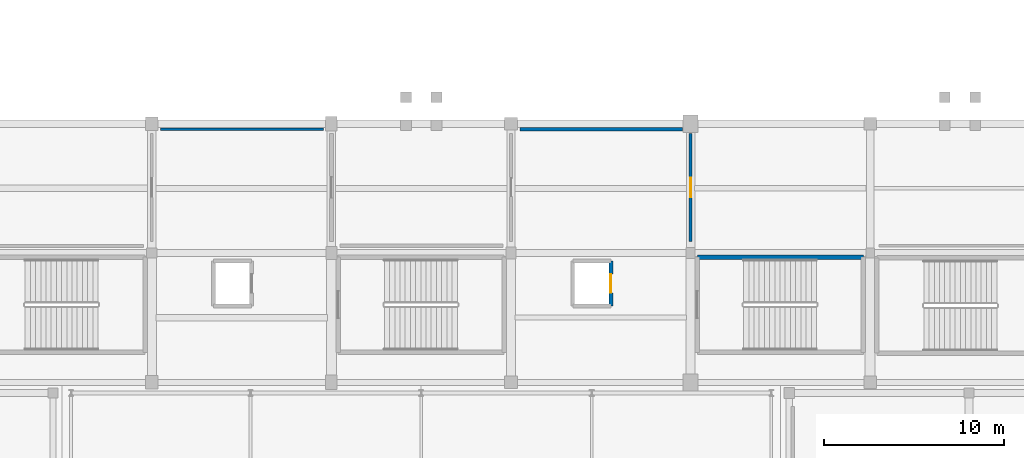
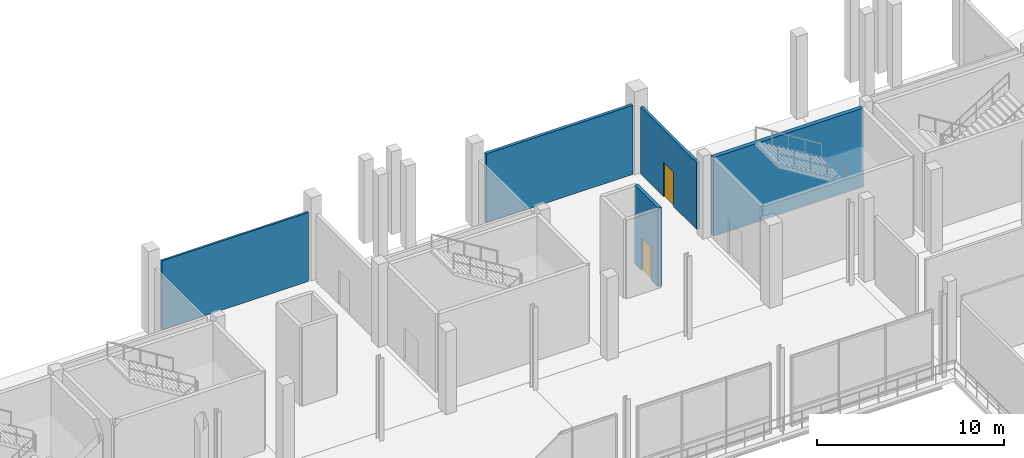
# One storey, part 72 of 111: 5 walls, 2 doors, 2 openings.
"""IFC4 building model written with IfcOpenShell, lengths in metres."""

from ifc_helpers import new_model, si_unit, direction, frame, frame_2d, origin, place, context, subcontext, project, spatial, rectangle, extrude, material, layer, layer_set, type_object, element, fill, save


model = new_model("IFC4")

# Units and contexts
model_context = context("Model", 3, precision=1e-05, world=origin(), true_north=direction((0.0, 1.0)))
body_context = subcontext(model_context, "Body", "Model", "MODEL_VIEW")
ifc_project = project(units=[si_unit("LENGTHUNIT", "METRE"), si_unit("AREAUNIT", "SQUARE_METRE"), si_unit("VOLUMEUNIT", "CUBIC_METRE"), si_unit("PLANEANGLEUNIT", "RADIAN"), si_unit("MASSUNIT", "GRAM", prefix="KILO")], contexts=[model_context])

# Site, building, storey
site_placement = place(None, origin())
site = spatial("IfcSite", under=ifc_project, at=site_placement, CompositionType="ELEMENT")
building_placement = place(site_placement, origin())
building = spatial("IfcBuilding", under=site, at=building_placement, Name="Candeia Ridge Stadium", CompositionType="ELEMENT")
storey_placement = place(building_placement, frame((0.0, 0.0, 16.199951171875)))
storey = spatial("IfcBuildingStorey", under=building, at=storey_placement, Name="L03", CompositionType="ELEMENT", Elevation=16.199951171875)

# Wall
ifc_material_1 = material(Name="Concrete C40/50", Category="concrete")
ifc_layer_1 = layer(ifc_material_1, 0.25, Name="Concrete C40/50", Category="concrete")
ifc_layer_set_1 = layer_set([ifc_layer_1], Name="Concrete C40/50")
wall_type_1 = type_object("IfcWallType", Name="Core Shear Wall Concrete 250", PredefinedType="SHEAR", material=ifc_layer_set_1)
wall_1_placement = place(storey_placement, frame((130.62451171875, 25.974609375, 0.0), z_axis=(0.0, 0.0, 1.0), x_axis=(-1.0, 0.0, 0.0)))
element("IfcWall", 1, at=wall_1_placement, inside=storey, type_object=wall_type_1, Name="Core C12 right shear wall L03", PredefinedType="SHEAR", context=body_context, shape_type="SweptSolid", body=[
    extrude(rectangle(XDim=9.2490234375, YDim=0.25, at=frame_2d((4.62451171875, 0.0))), origin(), (0.0, 0.0, 1.0), 5.14013671875),
])

# Wall, opening, door
ifc_material_2 = material(Name="Gypsum Acoustic Twin-Stud Assembly", Category="gypsum")
ifc_layer_2 = layer(ifc_material_2, 0.1650390625, Name="Gypsum Acoustic Twin-Stud Assembly", Category="gypsum")
ifc_layer_set_2 = layer_set([ifc_layer_2], Name="Gypsum Acoustic Twin-Stud Assembly")
wall_type_2 = type_object("IfcWallType", Name="Hospitality Suite Acoustic Wall 165", PredefinedType="PARTITIONING", material=ifc_layer_set_2)
wall_2_placement = place(storey_placement, frame((121.0, 32.85009765625, 0.0), z_axis=(0.0, 0.0, 1.0), x_axis=(0.0, -1.0, 0.0)))
wall_2 = element("IfcWall", 2, at=wall_2_placement, inside=storey, type_object=wall_type_2, Name="Interior partition PT-L03-0599", PredefinedType="PARTITIONING", context=body_context, shape_type="SweptSolid", body=[
    extrude(rectangle(XDim=6.0, YDim=0.1650390625, at=frame_2d((3.0, 0.0))), origin(), (0.0, 0.0, 1.0), 4.364990234375),
])
opening_1_placement = place(wall_2_placement, frame((2.4599609375, 0.0, 0.0)))
opening_1 = element("IfcOpeningElement", 3, at=opening_1_placement, cuts=wall_2, Name="Opening ID08", PredefinedType="OPENING", context=body_context, shape_type="SweptSolid", body=[
    extrude(rectangle(XDim=1.080078125, YDim=2.25, at=frame_2d((0.5400390625, 1.125))), frame((0.0, 0.092529296875, 0.0), z_axis=(0.0, -1.0, 0.0), x_axis=(1.0, 0.0, 0.0)), (0.0, 0.0, 1.0), 0.18505859375),
])
ifc_material_3 = material(Name="Western Red Cedar Acoustic Veneer", Category="wood")
door_type_1 = type_object("IfcDoorType", Name="Executive Skybox Entry Door 1080x2250", OperationType="NOTDEFINED", PredefinedType="DOOR", material=ifc_material_3)
door_1_placement = place(opening_1_placement, frame((1.080078125, 0.0, 0.0), z_axis=(0.0, 0.0, 1.0), x_axis=(-1.0, 0.0, 0.0)))
door_1 = element("IfcDoor", 4, at=door_1_placement, inside=storey, type_object=door_type_1, Name="Interior room door D-L03-0308", OperationType="SINGLE_SWING_LEFT", OverallHeight=2.25, OverallWidth=1.080078125, PredefinedType="DOOR", context=body_context, shape_type="SweptSolid", body=[
    extrude(rectangle(XDim=1.080078125, YDim=2.25, at=frame_2d((0.5400390625, 1.125))), frame((0.0, 0.02490234375, 0.0), z_axis=(0.0, -1.0, 0.0), x_axis=(1.0, 0.0, 0.0)), (0.0, 0.0, 1.0), 0.050048828125),
])
fill(opening_1, door_1)

ifc_layer_3 = layer(ifc_material_1, 0.219970703125, Name="Concrete C40/50", Category="concrete")
ifc_layer_set_3 = layer_set([ifc_layer_3], Name="Concrete C40/50")
wall_type_3 = type_object("IfcWallType", Name="Lift & Riser Shaft Wall 220", PredefinedType="SHEAR", material=ifc_layer_set_3)
wall_3_placement = place(storey_placement, frame((116.56005859375, 23.239990234375, 0.0), z_axis=(0.0, 0.0, 1.0), x_axis=(0.0, 1.0, 0.0)))
wall_3 = element("IfcWall", 5, at=wall_3_placement, inside=storey, type_object=wall_type_3, Name="Lift PL4 shaft wall L03 east", PredefinedType="SHEAR", context=body_context, shape_type="SweptSolid", body=[
    extrude(rectangle(XDim=2.52001953125, YDim=0.219970703125, at=frame_2d((1.260009765625, 0.0))), origin(), (0.0, 0.0, 1.0), 5.14013671875),
])
opening_2_placement = place(wall_3_placement, frame((0.735107421875, 0.0, 0.0)))
opening_2 = element("IfcOpeningElement", 6, at=opening_2_placement, cuts=wall_3, Name="Opening LD02", PredefinedType="OPENING", context=body_context, shape_type="SweptSolid", body=[
    extrude(rectangle(XDim=1.050048828125, YDim=2.14990234375, at=frame_2d((0.52490234375, 1.074951171875))), frame((0.0, 0.119873046875, 0.0), z_axis=(0.0, -1.0, 0.0), x_axis=(1.0, 0.0, 0.0)), (0.0, 0.0, 1.0), 0.239990234375),
])
ifc_material_4 = material(Name="Brushed Stainless Steel", Category="steel")
door_type_2 = type_object("IfcDoorType", Name="Passenger Lift Landing Door 1050x2150", OperationType="NOTDEFINED", PredefinedType="DOOR", material=ifc_material_4)
door_2_placement = place(opening_2_placement, origin())
door_2 = element("IfcDoor", 7, at=door_2_placement, inside=storey, type_object=door_type_2, Name="Lift landing sliding door LD-PL4-L03", OperationType="DOUBLE_DOOR_SLIDING", OverallHeight=2.14990234375, OverallWidth=1.050048828125, PredefinedType="DOOR", context=body_context, shape_type="SweptSolid", body=[
    extrude(rectangle(XDim=1.050048828125, YDim=2.14990234375, at=frame_2d((0.52490234375, 1.074951171875))), frame((0.0, 0.02490234375, 0.0), z_axis=(0.0, -1.0, 0.0), x_axis=(1.0, 0.0, 0.0)), (0.0, 0.0, 1.0), 0.050048828125),
])
fill(opening_2, door_2)

# Walls
ifc_material_5 = material(Name="Gypsum Acoustic Triple-Board Wall", Category="gypsum")
ifc_layer_4 = layer(ifc_material_5, 0.18994140625, Name="Gypsum Acoustic Triple-Board Wall", Category="gypsum")
ifc_layer_set_4 = layer_set([ifc_layer_4], Name="Gypsum Acoustic Triple-Board Wall")
wall_type_4 = type_object("IfcWallType", Name="Media & Commentary Studio Wall 190", PredefinedType="PARTITIONING", material=ifc_layer_set_4)
wall_4_placement = place(storey_placement, frame((111.489990234375, 33.10009765625, 0.0), z_axis=(0.0, 0.0, 1.0), x_axis=(1.0, 0.0, 0.0)))
element("IfcWall", 8, at=wall_4_placement, inside=storey, type_object=wall_type_4, Name="Demising partition PT-L03-0600", PredefinedType="PARTITIONING", context=body_context, shape_type="SweptSolid", body=[
    extrude(rectangle(XDim=9.06005859375, YDim=0.18994140625, at=frame_2d((4.530029296875, 0.0))), origin(), (0.0, 0.0, 1.0), 4.505126953125),
])
ifc_material_6 = material(Name="Gypsum Metal-Stud Partition", Category="gypsum")
ifc_layer_5 = layer(ifc_material_6, 0.1298828125, Name="Gypsum Metal-Stud Partition", Category="gypsum")
ifc_layer_set_5 = layer_set([ifc_layer_5], Name="Gypsum Metal-Stud Partition")
wall_type_5 = type_object("IfcWallType", Name="Ticketing Back-Office Partition 130", PredefinedType="PARTITIONING", material=ifc_layer_set_5)
wall_5_placement = place(storey_placement, frame((91.489990234375, 33.10009765625, 0.0), z_axis=(0.0, 0.0, 1.0), x_axis=(1.0, 0.0, 0.0)))
element("IfcWall", 9, at=wall_5_placement, inside=storey, type_object=wall_type_5, Name="Demising partition PT-L03-0596", PredefinedType="PARTITIONING", context=body_context, shape_type="SweptSolid", body=[
    extrude(rectangle(XDim=9.06005859375, YDim=0.1298828125, at=frame_2d((4.530029296875, 0.0))), origin(), (0.0, 0.0, 1.0), 4.505126953125),
])

save(model, "model.ifc")
